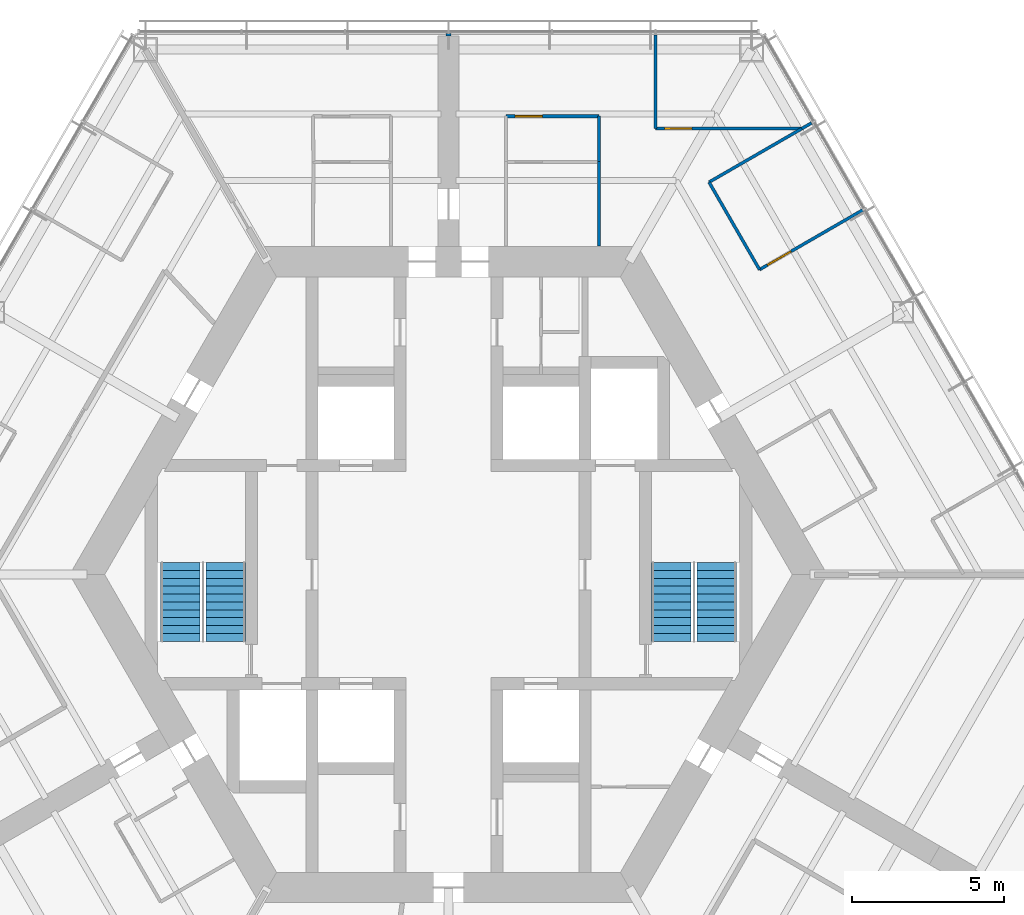
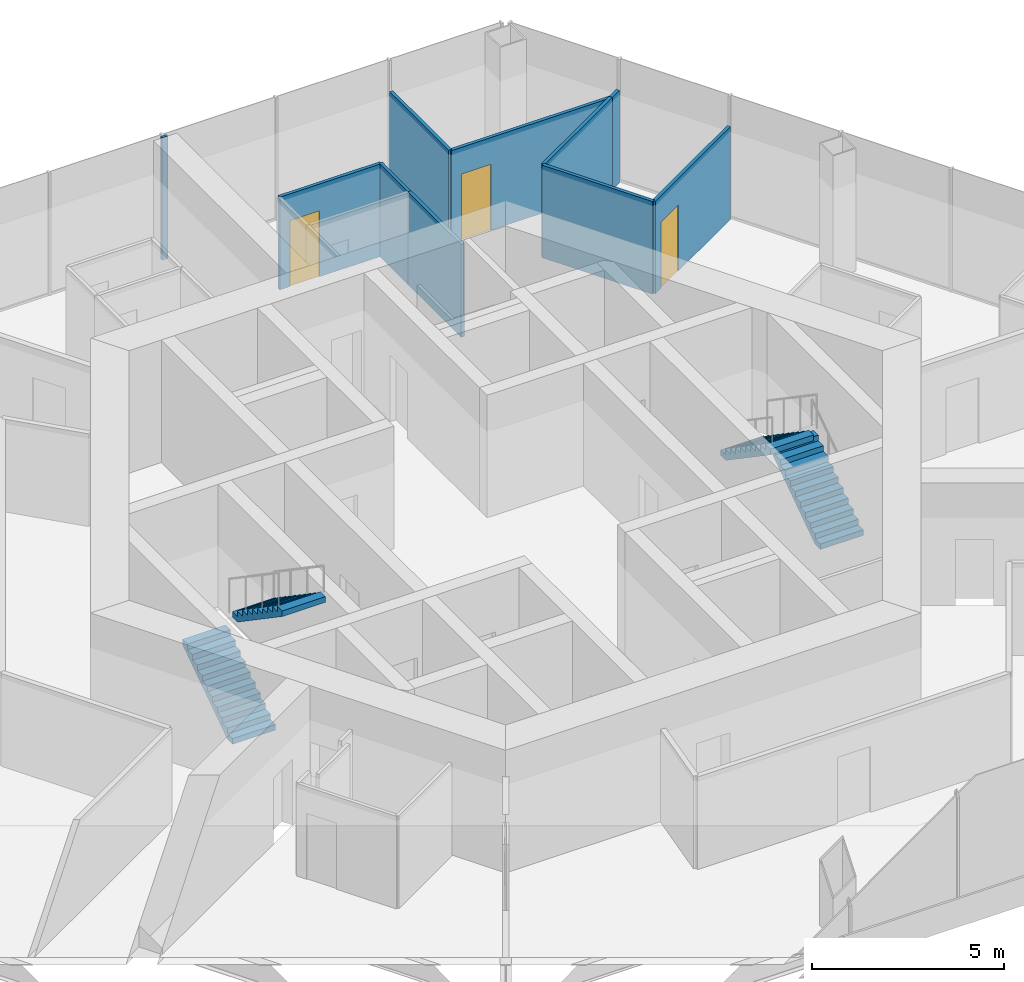
# One storey, part 15 of 18: 10 walls, 4 stair flights, 3 doors, 3 openings, 2 elements without a shape of their own.
"""IFC4 building model written with IfcOpenShell, lengths in metres."""

from ifc_helpers import new_model, si_unit, direction, frame, frame_2d, origin, place, context, subcontext, project, spatial, polyline, rectangle, outline, extrude, material, layer, layer_set, type_object, element, fill, aggregate, save


model = new_model("IFC4")

# Units and contexts
model_context = context("Model", 3, precision=1e-05, world=origin(), true_north=direction((0.0, 1.0)))
body_context = subcontext(model_context, "Body", "Model", "MODEL_VIEW")
ifc_project = project(units=[si_unit("LENGTHUNIT", "METRE"), si_unit("AREAUNIT", "SQUARE_METRE"), si_unit("VOLUMEUNIT", "CUBIC_METRE"), si_unit("PLANEANGLEUNIT", "RADIAN"), si_unit("MASSUNIT", "GRAM", prefix="KILO")], contexts=[model_context])

# Site, building, storey
site_placement = place(None, origin())
site = spatial("IfcSite", under=ifc_project, at=site_placement, CompositionType="ELEMENT")
building_placement = place(site_placement, origin())
building = spatial("IfcBuilding", under=site, at=building_placement, Name="Kasaneha Research Tower", CompositionType="ELEMENT")
storey_placement = place(building_placement, frame((0.0, 0.0, 144.800048828125)))
storey = spatial("IfcBuildingStorey", under=building, at=storey_placement, Name="L36", CompositionType="ELEMENT", Elevation=144.800048828125)

# Wall
ifc_material_1 = material(Name="Gypsum board on steel studs, one layer each side", Category="steel")
ifc_layer_1 = layer(ifc_material_1, 0.10009765625)
ifc_layer_set_1 = layer_set([ifc_layer_1], Name="Office partition 100")
wall_type_1 = type_object("IfcWallType", Name="Office partition 100", PredefinedType="PARTITIONING", material=ifc_layer_set_1)
wall_1_placement = place(storey_placement, frame((4.96630859375, 13.625, 0.0), z_axis=(0.0, 0.0, 1.0), x_axis=(0.001668567099, -0.999998607941, 0.0)))
element("IfcWall", 1, at=wall_1_placement, inside=storey, type_object=wall_type_1, Name="Office partition FAE03 L36", PredefinedType="PARTITIONING", context=body_context, shape_type="SweptSolid", body=[
    extrude(rectangle(XDim=2.780029296875, YDim=0.10009765625, at=frame_2d((1.39013671875, 0.0))), origin(), (0.0, 0.0, 1.0), 2.949951171875),
])

# Wall, opening, door
wall_2_placement = place(storey_placement, frame((1.89990234375, 15.125, 0.0), z_axis=(0.0, 0.0, 1.0), x_axis=(1.0, 0.0, 0.0)))
wall_2 = element("IfcWall", 2, at=wall_2_placement, inside=storey, type_object=wall_type_1, Name="Office partition FAE04 L36", PredefinedType="PARTITIONING", context=body_context, shape_type="SweptSolid", body=[
    extrude(rectangle(XDim=3.071044921875, YDim=0.10009765625, at=frame_2d((1.53564453125, 0.0))), origin(), (0.0, 0.0, 1.0), 2.949951171875),
])
opening_1_placement = place(wall_2_placement, frame((0.300048828125, 0.0, 0.0)))
opening_1 = element("IfcOpeningElement", 3, at=opening_1_placement, cuts=wall_2, Name="Opening L36-D27", PredefinedType="OPENING", context=body_context, shape_type="SweptSolid", body=[
    extrude(rectangle(XDim=0.89990234375, YDim=2.10009765625, at=frame_2d((0.449951171875, 1.050048828125))), frame((0.0, 0.06005859375, 0.0), z_axis=(0.0, -1.0, 0.0), x_axis=(1.0, 0.0, 0.0)), (0.0, 0.0, 1.0), 0.1201171875),
])
ifc_material_2 = material(Name="Steel", Category="steel")
door_type_1 = type_object("IfcDoorType", Name="Toilet lobby door FD30 900x2100", OperationType="NOTDEFINED", PredefinedType="DOOR", material=ifc_material_2)
door_1_placement = place(opening_1_placement, origin())
door_1 = element("IfcDoor", 4, at=door_1_placement, inside=storey, type_object=door_type_1, Name="Toilet lobby door L36-D27", OperationType="SINGLE_SWING_LEFT", OverallHeight=2.10009765625, OverallWidth=0.89990234375, PredefinedType="DOOR", context=body_context, shape_type="SweptSolid", body=[
    extrude(rectangle(XDim=0.89990234375, YDim=2.10009765625, at=frame_2d((0.449951171875, 1.050048828125))), frame((0.0, 0.02490234375, 0.0), z_axis=(0.0, -1.0, 0.0), x_axis=(1.0, 0.0, 0.0)), (0.0, 0.0, 1.0), 0.050048828125),
])
fill(opening_1, door_1)

# Walls
wall_3_placement = place(storey_placement, frame((4.970947265625, 15.125, 0.0), z_axis=(0.0, 0.0, 1.0), x_axis=(-0.00309243313, -0.999995218417, 0.0)))
element("IfcWall", 5, at=wall_3_placement, inside=storey, type_object=wall_type_1, Name="Office partition FAE06 L36", PredefinedType="PARTITIONING", context=body_context, shape_type="SweptSolid", body=[
    extrude(rectangle(XDim=1.5, YDim=0.10009765625, at=frame_2d((0.75, 0.0))), origin(), (0.0, 0.0, 1.0), 2.949951171875),
])
wall_4_placement = place(storey_placement, frame((11.6552734375, 14.714599609375, 0.0), z_axis=(0.0, 0.0, 1.0), x_axis=(0.866391722141, 0.499364980557, 0.0)))
element("IfcWall", 6, at=wall_4_placement, inside=storey, type_object=wall_type_1, Name="Office partition FAE10 L36", PredefinedType="PARTITIONING", context=body_context, shape_type="SweptSolid", body=[
    extrude(rectangle(XDim=0.37451171875, YDim=0.10009765625, at=frame_2d((0.187255859375, 0.0))), origin(), (0.0, 0.0, 1.0), 2.949951171875),
])
wall_5_placement = place(storey_placement, frame((8.597900390625, 12.94921875, 0.0), z_axis=(0.0, 0.0, 1.0), x_axis=(0.865996321171, 0.50005036918, 0.0)))
element("IfcWall", 7, at=wall_5_placement, inside=storey, type_object=wall_type_1, Name="Office partition FAE11 L36", PredefinedType="PARTITIONING", context=body_context, shape_type="SweptSolid", body=[
    extrude(rectangle(XDim=3.544677734375, YDim=0.10009765625, at=frame_2d((1.7724609375, 0.0))), origin(), (0.0, 0.0, 1.0), 2.949951171875),
])
wall_6_placement = place(storey_placement, frame((10.26318359375, 10.064453125, 0.0), z_axis=(0.0, 0.0, 1.0), x_axis=(-0.499946633866, 0.866056212544, 0.0)))
element("IfcWall", 8, at=wall_6_placement, inside=storey, type_object=wall_type_1, Name="Office partition FAE12 L36", PredefinedType="PARTITIONING", context=body_context, shape_type="SweptSolid", body=[
    extrude(rectangle(XDim=3.330810546875, YDim=0.10009765625, at=frame_2d((1.66552734375, 0.0))), origin(), (0.0, 0.0, 1.0), 2.949951171875),
])

# Wall, opening, door
wall_7_placement = place(storey_placement, frame((13.666748046875, 12.029541015625, 0.0), z_axis=(0.0, 0.0, 1.0), x_axis=(-0.866021102686, -0.500007449647, 0.0)))
wall_7 = element("IfcWall", 9, at=wall_7_placement, inside=storey, type_object=wall_type_1, Name="Office partition FAE13 L36", PredefinedType="PARTITIONING", context=body_context, shape_type="SweptSolid", body=[
    extrude(rectangle(XDim=3.93017578125, YDim=0.10009765625, at=frame_2d((1.965087890625, 0.0))), origin(), (0.0, 0.0, 1.0), 2.949951171875),
])
opening_2_placement = place(wall_7_placement, frame((2.72998046875, 0.0, 0.0)))
opening_2 = element("IfcOpeningElement", 10, at=opening_2_placement, cuts=wall_7, Name="Opening L36-D29", PredefinedType="OPENING", context=body_context, shape_type="SweptSolid", body=[
    extrude(rectangle(XDim=0.89990234375, YDim=2.10009765625, at=frame_2d((0.449951171875, 1.050048828125))), frame((0.0, 0.06005859375, 0.0), z_axis=(0.0, -1.0, 0.0), x_axis=(1.0, 0.0, 0.0)), (0.0, 0.0, 1.0), 0.1201171875),
])
ifc_material_3 = material(Name="Timber veneer", Category="wood")
door_type_2 = type_object("IfcDoorType", Name="Office door 900x2100", OperationType="SINGLE_SWING_LEFT", PredefinedType="DOOR", material=ifc_material_3)
door_2_placement = place(opening_2_placement, origin())
door_2 = element("IfcDoor", 11, at=door_2_placement, inside=storey, type_object=door_type_2, Name="Meeting room door L36-D29", OperationType="SINGLE_SWING_RIGHT", OverallHeight=2.10009765625, OverallWidth=0.89990234375, PredefinedType="DOOR", context=body_context, shape_type="SweptSolid", body=[
    extrude(rectangle(XDim=0.89990234375, YDim=2.10009765625, at=frame_2d((0.449951171875, 1.050048828125))), frame((0.0, 0.02490234375, 0.0), z_axis=(0.0, -1.0, 0.0), x_axis=(1.0, 0.0, 0.0)), (0.0, 0.0, 1.0), 0.050048828125),
])
fill(opening_2, door_2)

# Wall
wall_8_placement = place(storey_placement, frame((6.830810546875, 14.720458984375, 0.0), z_axis=(0.0, 0.0, 1.0), x_axis=(0.0, 1.0, 0.0)))
element("IfcWall", 12, at=wall_8_placement, inside=storey, type_object=wall_type_1, Name="Office partition FAE16 L36", PredefinedType="PARTITIONING", context=body_context, shape_type="SweptSolid", body=[
    extrude(rectangle(XDim=3.080078125, YDim=0.10009765625, at=frame_2d((1.5400390625, 0.0))), origin(), (0.0, 0.0, 1.0), 2.949951171875),
])

# Wall, opening, door
wall_9_placement = place(storey_placement, frame((11.66748046875, 14.7216796875, 0.0), z_axis=(0.0, 0.0, 1.0), x_axis=(-0.999999968151, -0.000252385031, 0.0)))
wall_9 = element("IfcWall", 13, at=wall_9_placement, inside=storey, type_object=wall_type_1, Name="Office partition FAE17 L36", PredefinedType="PARTITIONING", context=body_context, shape_type="SweptSolid", body=[
    extrude(rectangle(XDim=4.836669921875, YDim=0.10009765625, at=frame_2d((2.41845703125, 0.0))), origin(), (0.0, 0.0, 1.0), 2.949951171875),
])
opening_3_placement = place(wall_9_placement, frame((3.63671875, 0.0, 0.0)))
opening_3 = element("IfcOpeningElement", 14, at=opening_3_placement, cuts=wall_9, Name="Opening L36-D31", PredefinedType="OPENING", context=body_context, shape_type="SweptSolid", body=[
    extrude(rectangle(XDim=0.89990234375, YDim=2.10009765625, at=frame_2d((0.449951171875, 1.050048828125))), frame((0.0, 0.06005859375, 0.0), z_axis=(0.0, -1.0, 0.0), x_axis=(1.0, 0.0, 0.0)), (0.0, 0.0, 1.0), 0.1201171875),
])
door_3_placement = place(opening_3_placement, origin())
door_3 = element("IfcDoor", 15, at=door_3_placement, inside=storey, type_object=door_type_2, Name="Workroom door L36-D31", OperationType="SINGLE_SWING_RIGHT", OverallHeight=2.10009765625, OverallWidth=0.89990234375, PredefinedType="DOOR", context=body_context, shape_type="SweptSolid", body=[
    extrude(rectangle(XDim=0.89990234375, YDim=2.10009765625, at=frame_2d((0.449951171875, 1.050048828125))), frame((0.0, 0.02490234375, 0.0), z_axis=(0.0, -1.0, 0.0), x_axis=(1.0, 0.0, 0.0)), (0.0, 0.0, 1.0), 0.050048828125),
])
fill(opening_3, door_3)

# Wall
ifc_material_4 = material(Name="Gypsum board on steel studs, two layers each side", Category="steel")
ifc_layer_2 = layer(ifc_material_4, 0.175048828125)
ifc_layer_set_2 = layer_set([ifc_layer_2], Name="Tenancy fire partition 175")
wall_type_2 = type_object("IfcWallType", Name="Tenancy fire partition 175", PredefinedType="PARTITIONING", material=ifc_layer_set_2)
wall_10_placement = place(storey_placement, frame((0.0, 17.7705078125, 0.0), z_axis=(0.0, 0.0, 1.0), x_axis=(0.0, 1.0, 0.0)))
element("IfcWall", 16, at=wall_10_placement, inside=storey, type_object=wall_type_2, Name="Spine wall closer SW3-700 L36", PredefinedType="PARTITIONING", context=body_context, shape_type="SweptSolid", body=[
    extrude(rectangle(XDim=0.080078125, YDim=0.175048828125, at=frame_2d((0.0400390625, 0.0))), origin(), (0.0, 0.0, 1.0), 3.89990234375),
])

# Stair, stair flights
ifc_material_5 = material(Name="Concrete Fc24", Category="concrete")
stair_type = type_object("IfcStairType", Name="Half-turn stair 22 risers", PredefinedType="HALF_TURN_STAIR", material=ifc_material_5)
stair_1_placement = place(storey_placement, origin())
stair_1 = element("IfcStair", 17, at=stair_1_placement, inside=storey, type_object=stair_type, Name="Stair 1 L36", PredefinedType="HALF_TURN_STAIR")
ifc_material_6 = material(Name="Concrete Fc24", Category="concrete")
stair_flight_type = type_object("IfcStairFlightType", Name="Stair flight 11 risers 177.3", PredefinedType="STRAIGHT", material=ifc_material_6)
stair_flight_1_placement = place(storey_placement, frame((8.85009765625, -2.199951171875, 0.0), z_axis=(0.0, 0.0, 1.0), x_axis=(0.0, 1.0, 0.0)))
stair_flight_1 = element("IfcStairFlight", 18, at=stair_flight_1_placement, type_object=stair_flight_type, Name="ST1-22R flight 1", NumberOfRisers=11, NumberOfTreads=10, PredefinedType="STRAIGHT", RiserHeight=0.177272727, TreadLength=0.26, context=body_context, shape_type="SweptSolid", body=[
    extrude(outline(polyline([(0.0, 0.0), (0.0, 0.17724609375), (0.260009765625, 0.17724609375), (0.260009765625, 0.3544921875), (0.52001953125, 0.3544921875), (0.52001953125, 0.53173828125), (0.780029296875, 0.53173828125), (0.780029296875, 0.708984375), (1.0400390625, 0.708984375), (1.0400390625, 0.886474609375), (1.300048828125, 0.886474609375), (1.300048828125, 1.063720703125), (1.56005859375, 1.063720703125), (1.56005859375, 1.240966796875), (1.820068359375, 1.240966796875), (1.820068359375, 1.418212890625), (2.080078125, 1.418212890625), (2.080078125, 1.595458984375), (2.340087890625, 1.595458984375), (2.340087890625, 1.772705078125), (2.60009765625, 1.772705078125), (2.60009765625, 1.949951171875), (2.60009765625, 1.59130859375), (0.26611328125, 0.0), (0.0, 0.0)])), frame((0.0, 0.64990234375, 0.0), z_axis=(0.0, -1.0, 0.0), x_axis=(1.0, 0.0, 0.0)), (0.0, 0.0, 1.0), 1.300048828125),
])
stair_flight_2_placement = place(storey_placement, frame((7.35009765625, 0.39990234375, 1.949951171875), z_axis=(0.0, 0.0, 1.0), x_axis=(0.0, -1.0, 0.0)))
stair_flight_2 = element("IfcStairFlight", 19, at=stair_flight_2_placement, type_object=stair_flight_type, Name="ST1-22R flight 2", NumberOfRisers=11, NumberOfTreads=10, PredefinedType="STRAIGHT", RiserHeight=0.177272727, TreadLength=0.26, context=body_context, shape_type="SweptSolid", body=[
    extrude(outline(polyline([(0.0, 0.0), (0.0, 0.17724609375), (0.260009765625, 0.17724609375), (0.260009765625, 0.3544921875), (0.52001953125, 0.3544921875), (0.52001953125, 0.53173828125), (0.780029296875, 0.53173828125), (0.780029296875, 0.708984375), (1.0400390625, 0.708984375), (1.0400390625, 0.886474609375), (1.300048828125, 0.886474609375), (1.300048828125, 1.063720703125), (1.56005859375, 1.063720703125), (1.56005859375, 1.240966796875), (1.820068359375, 1.240966796875), (1.820068359375, 1.418212890625), (2.080078125, 1.418212890625), (2.080078125, 1.595458984375), (2.340087890625, 1.595458984375), (2.340087890625, 1.772705078125), (2.60009765625, 1.772705078125), (2.60009765625, 1.949951171875), (2.60009765625, 1.59130859375), (0.26611328125, 0.0), (0.0, 0.0)])), frame((0.0, 0.64990234375, 0.0), z_axis=(0.0, -1.0, 0.0), x_axis=(1.0, 0.0, 0.0)), (0.0, 0.0, 1.0), 1.300048828125),
])
aggregate(stair_1, [stair_flight_1, stair_flight_2])

stair_2_placement = place(storey_placement, origin())
stair_2 = element("IfcStair", 20, at=stair_2_placement, inside=storey, type_object=stair_type, Name="Stair 2 L36", PredefinedType="HALF_TURN_STAIR")
stair_flight_3_placement = place(storey_placement, frame((-8.85009765625, -2.199951171875, 0.0), z_axis=(0.0, 0.0, 1.0), x_axis=(0.0, 1.0, 0.0)))
stair_flight_3 = element("IfcStairFlight", 21, at=stair_flight_3_placement, type_object=stair_flight_type, Name="ST2-22R flight 1", NumberOfRisers=11, NumberOfTreads=10, PredefinedType="STRAIGHT", RiserHeight=0.177272727, TreadLength=0.26, context=body_context, shape_type="SweptSolid", body=[
    extrude(outline(polyline([(0.0, 0.0), (0.0, 0.17724609375), (0.260009765625, 0.17724609375), (0.260009765625, 0.3544921875), (0.52001953125, 0.3544921875), (0.52001953125, 0.53173828125), (0.780029296875, 0.53173828125), (0.780029296875, 0.708984375), (1.0400390625, 0.708984375), (1.0400390625, 0.886474609375), (1.300048828125, 0.886474609375), (1.300048828125, 1.063720703125), (1.56005859375, 1.063720703125), (1.56005859375, 1.240966796875), (1.820068359375, 1.240966796875), (1.820068359375, 1.418212890625), (2.080078125, 1.418212890625), (2.080078125, 1.595458984375), (2.340087890625, 1.595458984375), (2.340087890625, 1.772705078125), (2.60009765625, 1.772705078125), (2.60009765625, 1.949951171875), (2.60009765625, 1.59130859375), (0.26611328125, 0.0), (0.0, 0.0)])), frame((0.0, 0.64990234375, 0.0), z_axis=(0.0, -1.0, 0.0), x_axis=(1.0, 0.0, 0.0)), (0.0, 0.0, 1.0), 1.300048828125),
])
stair_flight_4_placement = place(storey_placement, frame((-7.35009765625, 0.39990234375, 1.949951171875), z_axis=(0.0, 0.0, 1.0), x_axis=(0.0, -1.0, 0.0)))
stair_flight_4 = element("IfcStairFlight", 22, at=stair_flight_4_placement, type_object=stair_flight_type, Name="ST2-22R flight 2", NumberOfRisers=11, NumberOfTreads=10, PredefinedType="STRAIGHT", RiserHeight=0.177272727, TreadLength=0.26, context=body_context, shape_type="SweptSolid", body=[
    extrude(outline(polyline([(0.0, 0.0), (0.0, 0.17724609375), (0.260009765625, 0.17724609375), (0.260009765625, 0.3544921875), (0.52001953125, 0.3544921875), (0.52001953125, 0.53173828125), (0.780029296875, 0.53173828125), (0.780029296875, 0.708984375), (1.0400390625, 0.708984375), (1.0400390625, 0.886474609375), (1.300048828125, 0.886474609375), (1.300048828125, 1.063720703125), (1.56005859375, 1.063720703125), (1.56005859375, 1.240966796875), (1.820068359375, 1.240966796875), (1.820068359375, 1.418212890625), (2.080078125, 1.418212890625), (2.080078125, 1.595458984375), (2.340087890625, 1.595458984375), (2.340087890625, 1.772705078125), (2.60009765625, 1.772705078125), (2.60009765625, 1.949951171875), (2.60009765625, 1.59130859375), (0.26611328125, 0.0), (0.0, 0.0)])), frame((0.0, 0.64990234375, 0.0), z_axis=(0.0, -1.0, 0.0), x_axis=(1.0, 0.0, 0.0)), (0.0, 0.0, 1.0), 1.300048828125),
])
aggregate(stair_2, [stair_flight_3, stair_flight_4])

save(model, "model.ifc")
